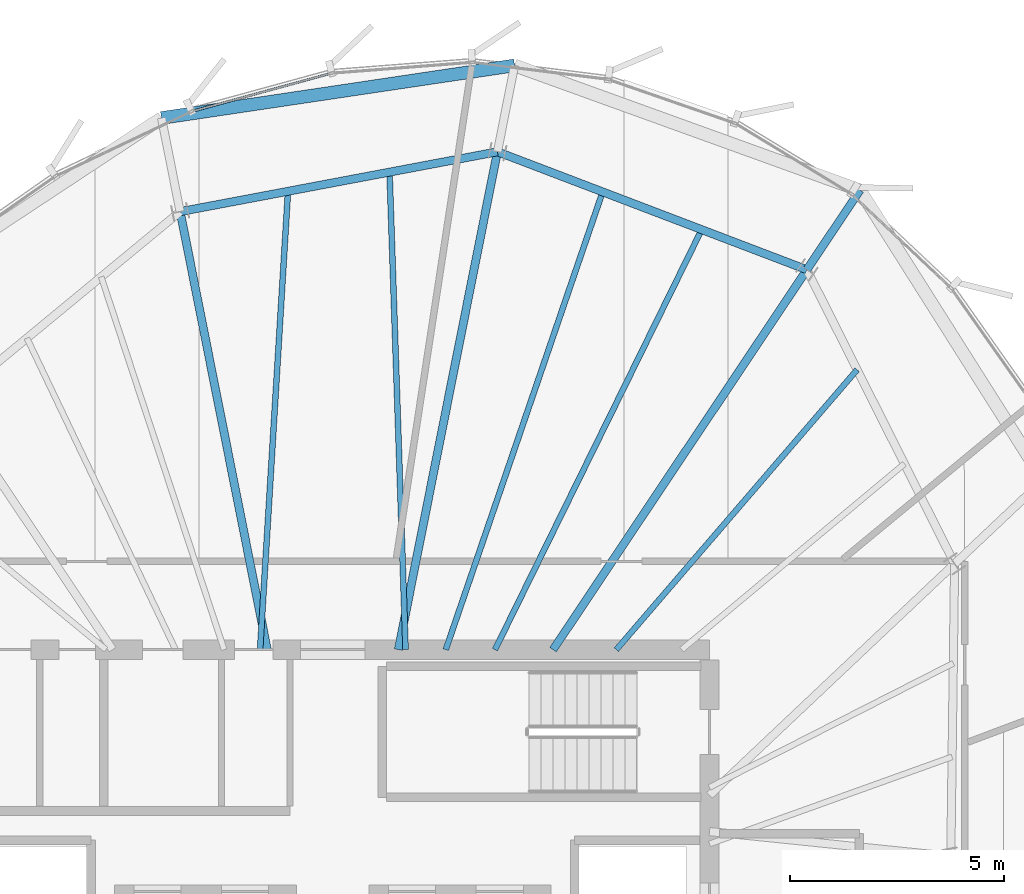
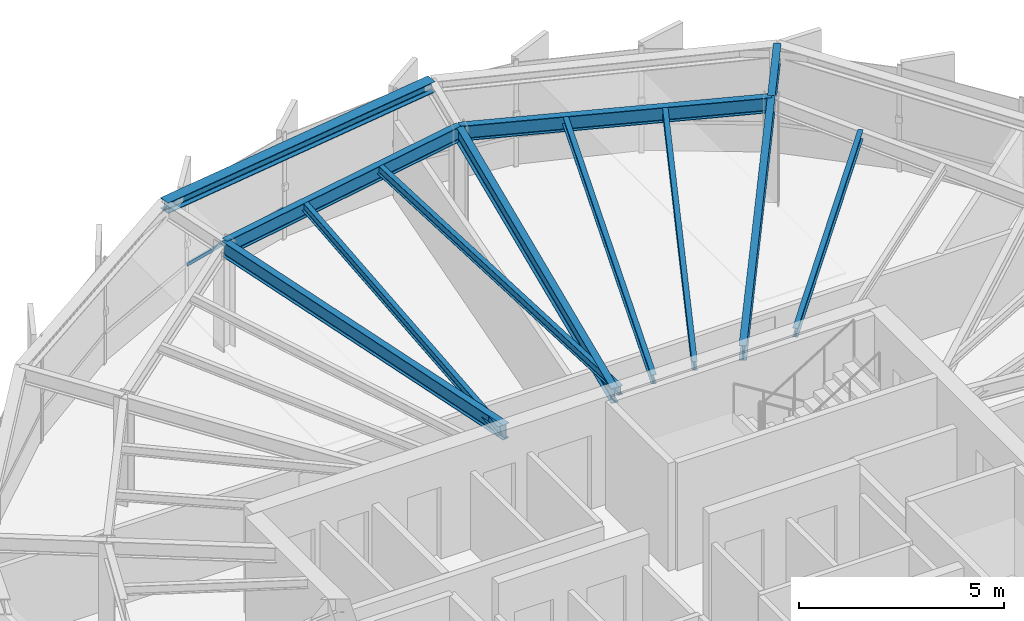
# One storey, part 20 of 30: 12 beams, 1 member, 1 element without a shape of its own.
"""IFC4 building model written with IfcOpenShell, lengths in metres."""

from ifc_helpers import new_model, si_unit, direction, frame, origin, origin_2d, place, context, subcontext, project, spatial, hollow_rectangle, i_section, extrude, source, transform, mapped, material, layer, layer_set, material_profile, profile_set, type_object, element, aggregate, save


model = new_model("IFC4")

# Units and contexts
model_context = context("Model", 3, precision=1e-05, world=origin(), true_north=direction((0.0, 1.0)))
body_context = subcontext(model_context, "Body", "Model", "MODEL_VIEW")
ifc_project = project(units=[si_unit("LENGTHUNIT", "METRE"), si_unit("AREAUNIT", "SQUARE_METRE"), si_unit("VOLUMEUNIT", "CUBIC_METRE"), si_unit("PLANEANGLEUNIT", "RADIAN"), si_unit("MASSUNIT", "GRAM", prefix="KILO"), si_unit("THERMODYNAMICTEMPERATUREUNIT", "KELVIN")], contexts=[model_context])

# Site, building, storey
site_placement = place(None, origin())
site = spatial("IfcSite", under=ifc_project, at=site_placement, CompositionType="ELEMENT")
building_placement = place(site_placement, origin())
building = spatial("IfcBuilding", under=site, at=building_placement, Name="Kethvar Cultural Tower", CompositionType="ELEMENT")
storey_placement = place(building_placement, frame((0.0, 0.0, 293.949951171875)))
storey = spatial("IfcBuildingStorey", under=building, at=storey_placement, Name="L78", CompositionType="ELEMENT", Elevation=293.949951171875)

# Beams
ifc_material_1 = material(Name="Steel S355J2", Category="steel")
ifc_material_profile_1 = material_profile(ifc_material_1, i_section(OverallWidth=0.18994140625, OverallDepth=0.449951171875, WebThickness=0.009521484375, FlangeThickness=0.0146484375, FilletRadius=0.02099609375, at=origin_2d()), Name="Steel S355J2 — IPE450")
ifc_profile_set_1 = profile_set([ifc_material_profile_1], Name="Steel S355J2 — IPE450")
beam_type_1 = type_object("IfcBeamType", Name="BM-IPE450", PredefinedType="BEAM", material=ifc_profile_set_1)
shared_shape_1 = source(origin(), body_context, "Body", "SweptSolid", [
    extrude(i_section(OverallWidth=0.18994140625, OverallDepth=0.449951171875, WebThickness=0.009521484375, FlangeThickness=0.0146484375, FilletRadius=0.02099609375, at=origin_2d()), origin(), (0.0, 0.0, 1.0), 10.673828125),
])
beam_1_placement = place(storey_placement, frame((51.945068359375, 35.5, 2.983154296875), z_axis=(0.555576086183, 0.831465701314, 0.0), x_axis=(-0.831465701314, 0.555576086183, 0.0)))
element("IfcBeam", 1, at=beam_1_placement, inside=storey, type_object=beam_type_1, Name="L78 Primary Radial Beam RB-03", PredefinedType="BEAM", context=body_context, shape_type="MappedRepresentation", body=[
    mapped(shared_shape_1, transform((0.0, 0.0, 0.0), scale=1.0)),
])
shared_shape_2 = source(origin(), body_context, "Body", "SweptSolid", [
    extrude(i_section(OverallWidth=0.18994140625, OverallDepth=0.449951171875, WebThickness=0.009521484375, FlangeThickness=0.0146484375, FilletRadius=0.02099609375, at=origin_2d()), origin(), (0.0, 0.0, 1.0), 11.859375),
])
beam_2_placement = place(storey_placement, frame((48.33154296875, 35.5, 2.983154296875), z_axis=(0.195094640585, 0.980784421377, 0.0), x_axis=(-0.980784421377, 0.195094640585, 0.0)))
element("IfcBeam", 2, at=beam_2_placement, inside=storey, type_object=beam_type_1, Name="L78 Primary Radial Beam RB-04", PredefinedType="BEAM", context=body_context, shape_type="MappedRepresentation", body=[
    mapped(shared_shape_2, transform((0.0, 0.0, 0.0), scale=1.0)),
])
shared_shape_3 = source(origin(), body_context, "Body", "SweptSolid", [
    extrude(i_section(OverallWidth=0.18994140625, OverallDepth=0.449951171875, WebThickness=0.009521484375, FlangeThickness=0.0146484375, FilletRadius=0.02099609375, at=origin_2d()), origin(), (0.0, 0.0, 1.0), 10.432861328125),
])
beam_3_placement = place(storey_placement, frame((45.268310546875, 35.5, 2.983154296875), z_axis=(-0.195094483249, 0.980784452673, 0.0), x_axis=(-0.980784452673, -0.195094483249, 0.0)))
element("IfcBeam", 3, at=beam_3_placement, inside=storey, type_object=beam_type_1, Name="L78 Primary Radial Beam RB-05", PredefinedType="BEAM", context=body_context, shape_type="MappedRepresentation", body=[
    mapped(shared_shape_3, transform((0.0, 0.0, 0.0), scale=1.0)),
])
ifc_material_profile_2 = material_profile(ifc_material_1, i_section(OverallWidth=0.135009765625, OverallDepth=0.27001953125, WebThickness=0.006591796875, FlangeThickness=0.01025390625, FilletRadius=0.014892578125, at=origin_2d()), Name="Steel S355J2 — IPE270")
ifc_profile_set_2 = profile_set([ifc_material_profile_2], Name="Steel S355J2 — IPE270")
beam_type_2 = type_object("IfcBeamType", Name="BM-J270", PredefinedType="JOIST", material=ifc_profile_set_2)
shared_shape_4 = source(origin(), body_context, "Body", "SweptSolid", [
    extrude(i_section(OverallWidth=0.135009765625, OverallDepth=0.27001953125, WebThickness=0.006591796875, FlangeThickness=0.01025390625, FilletRadius=0.014892578125, at=origin_2d()), origin(), (0.0, 0.0, 1.0), 8.6259765625),
])
beam_4_placement = place(storey_placement, frame((53.42333984375, 35.5, 3.072998046875), z_axis=(0.65210499689, 0.758128665222, 0.0), x_axis=(-0.758128665222, 0.65210499689, 0.0)))
element("IfcBeam", 4, at=beam_4_placement, inside=storey, type_object=beam_type_2, Name="L78 Composite Floor Joist J-02B", PredefinedType="JOIST", context=body_context, shape_type="MappedRepresentation", body=[
    mapped(shared_shape_4, transform((0.0, 0.0, 0.0), scale=1.0)),
])
shared_shape_5 = source(origin(), body_context, "Body", "SweptSolid", [
    extrude(i_section(OverallWidth=0.18994140625, OverallDepth=0.449951171875, WebThickness=0.009521484375, FlangeThickness=0.0146484375, FilletRadius=0.02099609375, at=origin_2d()), origin(), (0.0, 0.0, 1.0), 7.737548828125),
])
beam_5_placement = place(storey_placement, frame((57.875244140625, 44.375, 2.983154296875), z_axis=(-0.934388230776, 0.356256416347, 0.0), x_axis=(-0.356256416347, -0.934388230776, 0.0)))
element("IfcBeam", 5, at=beam_5_placement, inside=storey, type_object=beam_type_1, Name="L78 Column Ring Tie Beam CR-03", PredefinedType="BEAM", context=body_context, shape_type="MappedRepresentation", body=[
    mapped(shared_shape_5, transform((0.0, 0.0, 0.0), scale=1.0)),
])
shared_shape_6 = source(origin(), body_context, "Body", "SweptSolid", [
    extrude(i_section(OverallWidth=0.135009765625, OverallDepth=0.27001953125, WebThickness=0.006591796875, FlangeThickness=0.01025390625, FilletRadius=0.014892578125, at=origin_2d()), origin(), (0.0, 0.0, 1.0), 10.935791015625),
])
beam_6_placement = place(storey_placement, frame((50.5888671875, 35.5, 3.072998046875), z_axis=(0.441498236677, 0.897262117227, 0.0), x_axis=(-0.897262117227, 0.441498236677, 0.0)))
element("IfcBeam", 6, at=beam_6_placement, inside=storey, type_object=beam_type_2, Name="L78 Composite Floor Joist J-03A", PredefinedType="JOIST", context=body_context, shape_type="MappedRepresentation", body=[
    mapped(shared_shape_6, transform((0.0, 0.0, 0.0), scale=1.0)),
])
shared_shape_7 = source(origin(), body_context, "Body", "SweptSolid", [
    extrude(i_section(OverallWidth=0.135009765625, OverallDepth=0.27001953125, WebThickness=0.006591796875, FlangeThickness=0.01025390625, FilletRadius=0.014892578125, at=origin_2d()), origin(), (0.0, 0.0, 1.0), 11.304931640625),
])
beam_7_placement = place(storey_placement, frame((49.438720703125, 35.5, 3.072998046875), z_axis=(0.324179110764, 0.945995720997, 0.0), x_axis=(-0.945995720997, 0.324179110764, 0.0)))
element("IfcBeam", 7, at=beam_7_placement, inside=storey, type_object=beam_type_2, Name="L78 Composite Floor Joist J-03B", PredefinedType="JOIST", context=body_context, shape_type="MappedRepresentation", body=[
    mapped(shared_shape_7, transform((0.0, 0.0, 0.0), scale=1.0)),
])
shared_shape_8 = source(origin(), body_context, "Body", "SweptSolid", [
    extrude(i_section(OverallWidth=0.18994140625, OverallDepth=0.449951171875, WebThickness=0.009521484375, FlangeThickness=0.0146484375, FilletRadius=0.02099609375, at=origin_2d()), origin(), (0.0, 0.0, 1.0), 7.543212890625),
])
beam_8_placement = place(storey_placement, frame((50.645263671875, 47.131591796875, 2.983154296875), z_axis=(-0.982646853086, -0.185486285532, 0.0), x_axis=(0.185486285532, -0.982646853086, 0.0)))
element("IfcBeam", 8, at=beam_8_placement, inside=storey, type_object=beam_type_1, Name="L78 Column Ring Tie Beam CR-04", PredefinedType="BEAM", context=body_context, shape_type="MappedRepresentation", body=[
    mapped(shared_shape_8, transform((0.0, 0.0, 0.0), scale=1.0)),
])
shared_shape_9 = source(origin(), body_context, "Body", "SweptSolid", [
    extrude(i_section(OverallWidth=0.135009765625, OverallDepth=0.27001953125, WebThickness=0.006591796875, FlangeThickness=0.01025390625, FilletRadius=0.014892578125, at=origin_2d()), origin(), (0.0, 0.0, 1.0), 11.162109375),
])
beam_9_placement = place(storey_placement, frame((48.5, 35.5, 3.072998046875), z_axis=(-0.0335959409, 0.999435497046, 0.0), x_axis=(-0.999435497046, -0.0335959409, 0.0)))
element("IfcBeam", 9, at=beam_9_placement, inside=storey, type_object=beam_type_2, Name="L78 Composite Floor Joist J-04A", PredefinedType="JOIST", context=body_context, shape_type="MappedRepresentation", body=[
    mapped(shared_shape_9, transform((0.0, 0.0, 0.0), scale=1.0)),
])
shared_shape_10 = source(origin(), body_context, "Body", "SweptSolid", [
    extrude(i_section(OverallWidth=0.135009765625, OverallDepth=0.27001953125, WebThickness=0.006591796875, FlangeThickness=0.01025390625, FilletRadius=0.014892578125, at=origin_2d()), origin(), (0.0, 0.0, 1.0), 10.727783203125),
])
beam_10_placement = place(storey_placement, frame((45.10009765625, 35.5, 3.072998046875), z_axis=(0.060876395586, 0.998145312297, 0.0), x_axis=(-0.998145312297, 0.060876395586, 0.0)))
element("IfcBeam", 10, at=beam_10_placement, inside=storey, type_object=beam_type_2, Name="L78 Composite Floor Joist J-04B", PredefinedType="JOIST", context=body_context, shape_type="MappedRepresentation", body=[
    mapped(shared_shape_10, transform((0.0, 0.0, 0.0), scale=1.0)),
])
shared_shape_11 = source(origin(), body_context, "Body", "SweptSolid", [
    extrude(i_section(OverallWidth=0.18994140625, OverallDepth=0.449951171875, WebThickness=0.009521484375, FlangeThickness=0.0146484375, FilletRadius=0.02099609375, at=origin_2d()), origin(), (0.0, 0.0, 1.0), 2.234619140625),
])
beam_11_placement = place(storey_placement, frame((57.875244140625, 44.375, 2.983154296875), z_axis=(0.555582361327, 0.831461508299, 0.0), x_axis=(-0.831461508299, 0.555582361327, 0.0)))
element("IfcBeam", 11, at=beam_11_placement, inside=storey, type_object=beam_type_1, Name="L78 Perimeter Cantilever Beam RC-03", PredefinedType="BEAM", context=body_context, shape_type="MappedRepresentation", body=[
    mapped(shared_shape_11, transform((0.0, 0.0, 0.0), scale=1.0)),
])
ifc_material_profile_3 = material_profile(ifc_material_1, i_section(OverallWidth=0.300048828125, OverallDepth=0.320068359375, WebThickness=0.011474609375, FlangeThickness=0.0205078125, FilletRadius=0.027099609375, at=origin_2d()), Name="Steel S355J2 — HEB320")
ifc_profile_set_3 = profile_set([ifc_material_profile_3], Name="Steel S355J2 — HEB320")
beam_type_3 = type_object("IfcBeamType", Name="BM-SP320", PredefinedType="SPANDREL", material=ifc_profile_set_3)
shared_shape_12 = source(origin(), body_context, "Body", "SweptSolid", [
    extrude(i_section(OverallWidth=0.300048828125, OverallDepth=0.320068359375, WebThickness=0.011474609375, FlangeThickness=0.0205078125, FilletRadius=0.027099609375, at=origin_2d()), origin(), (0.0, 0.0, 1.0), 8.33984375),
])
beam_12_placement = place(storey_placement, frame((51.046630859375, 49.14892578125, 3.048095703125), z_axis=(-0.989086365945, -0.14733689525, 0.0), x_axis=(0.14733689525, -0.989086365945, 0.0)))
element("IfcBeam", 12, at=beam_12_placement, inside=storey, type_object=beam_type_3, Name="L78 Perimeter Spandrel Beam SP-04", PredefinedType="SPANDREL", context=body_context, shape_type="MappedRepresentation", body=[
    mapped(shared_shape_12, transform((0.0, 0.0, 0.0), scale=1.0)),
])

# Curtain wall, member
ifc_material_2 = material(Name="Aluminium 6063-T6", Category="aluminium")
ifc_layer = layer(ifc_material_2, 0.179931640625, Name="Aluminium 6063-T6", Category="aluminium")
ifc_layer_set = layer_set([ifc_layer], Name="Aluminium 6063-T6 (180 mm)")
curtain_wall_type = type_object("IfcCurtainWallType", Name="CW-SYS-05-Z56", PredefinedType="NOTDEFINED", material=ifc_layer_set)
curtain_wall_placement = place(storey_placement, origin())
curtain_wall = element("IfcCurtainWall", 13, at=curtain_wall_placement, inside=storey, type_object=curtain_wall_type, Name="L78 Curtain Wall Run 01", PredefinedType="NOTDEFINED")
ifc_material_profile_4 = material_profile(ifc_material_2, hollow_rectangle(XDim=0.050048828125, YDim=0.10009765625, WallThickness=0.00390625, at=origin_2d()), Name="Aluminium 6063-T6 — RHS100x50x4")
ifc_profile_set_4 = profile_set([ifc_material_profile_4], Name="Aluminium 6063-T6 — RHS100x50x4")
member_type = type_object("IfcMemberType", Name="CW-SYS-05-Z56-TRN", PredefinedType="USERDEFINED", material=ifc_profile_set_4)
shared_shape_13 = source(origin(), body_context, "Body", "SweptSolid", [
    extrude(hollow_rectangle(XDim=0.050048828125, YDim=0.10009765625, WallThickness=0.00390625, at=origin_2d()), origin(), (0.0, 0.0, 1.0), 3.337646484375),
])
member_placement = place(storey_placement, frame((46.74072265625, 48.95947265625, 0.949951171875), z_axis=(-0.96454403839, -0.263921954384, 0.0), x_axis=(0.263921954384, -0.96454403839, 0.0)))
member = element("IfcMember", 14, at=member_placement, type_object=member_type, Name="CW-L78-R01 Transom 4", ObjectType="TRANSOM", PredefinedType="USERDEFINED", context=body_context, shape_type="MappedRepresentation", body=[
    mapped(shared_shape_13, transform((0.0, 0.0, 0.0), scale=1.0)),
])
aggregate(curtain_wall, [member])

save(model, "model.ifc")
